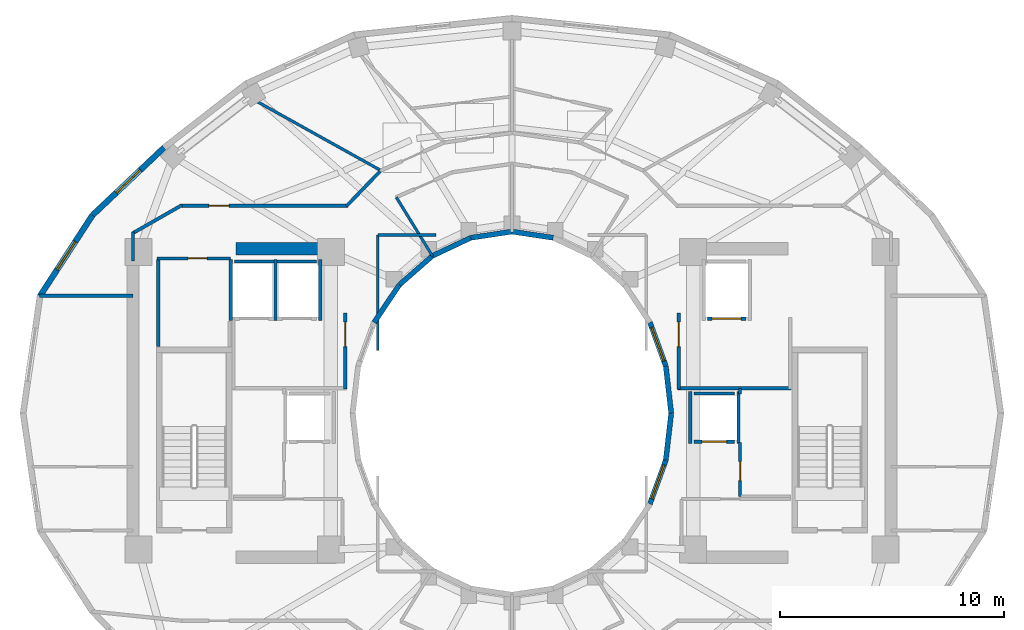
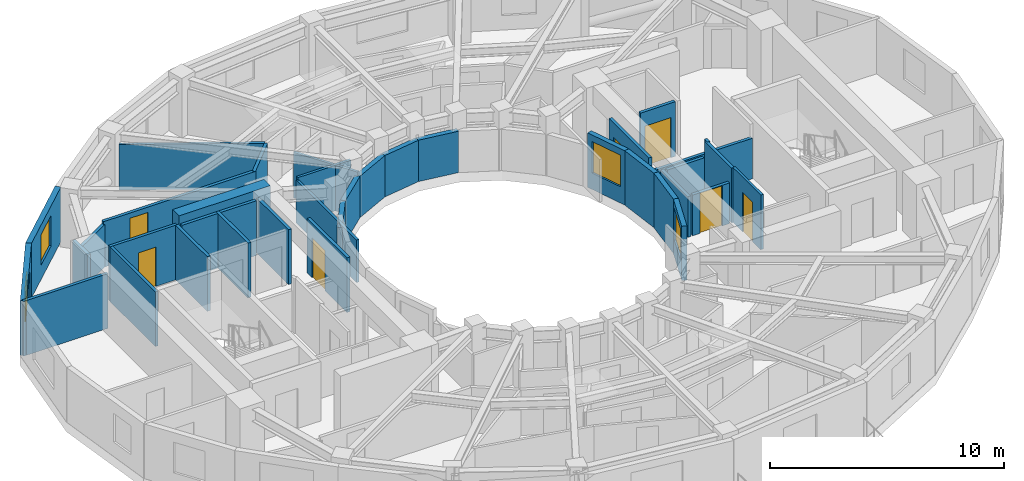
# One storey, part 5 of 9: 38 walls, 7 doors, 4 windows, 11 openings.
"""IFC4 building model written with IfcOpenShell, lengths in metres."""

from ifc_helpers import new_model, si_unit, direction, frame, frame_2d, origin, place, context, subcontext, project, spatial, rectangle, extrude, material, layer, layer_set, type_object, element, fill, save


model = new_model("IFC4")

# Units and contexts
model_context = context("Model", 3, precision=1e-05, world=origin(), true_north=direction((0.0, 1.0)))
body_context = subcontext(model_context, "Body", "Model", "MODEL_VIEW")
ifc_project = project(units=[si_unit("LENGTHUNIT", "METRE"), si_unit("AREAUNIT", "SQUARE_METRE"), si_unit("VOLUMEUNIT", "CUBIC_METRE"), si_unit("PLANEANGLEUNIT", "RADIAN"), si_unit("MASSUNIT", "GRAM", prefix="KILO")], contexts=[model_context])

# Site, building, storey
site_placement = place(None, origin())
site = spatial("IfcSite", under=ifc_project, at=site_placement, CompositionType="ELEMENT")
building_placement = place(site_placement, origin())
building = spatial("IfcBuilding", under=site, at=building_placement, Name="Solvane Sanctuary Tower", CompositionType="ELEMENT")
storey_placement = place(building_placement, frame((0.0, 0.0, 220.199951171875)))
storey = spatial("IfcBuildingStorey", under=building, at=storey_placement, Name="L67", CompositionType="ELEMENT", Elevation=220.199951171875)

# Wall
ifc_material_1 = material(Name="Concrete C50/60", Category="concrete")
ifc_layer_1 = layer(ifc_material_1, 0.550048828125, Name="Concrete C50/60")
ifc_layer_set_1 = layer_set([ifc_layer_1], Name="Concrete C50/60")
wall_type_1 = type_object("IfcWallType", Name="Wall W-CORE-550", PredefinedType="SHEAR", material=ifc_layer_set_1)
wall_1_placement = place(storey_placement, frame((19.64990234375, 30.35009765625, 0.0), z_axis=(0.0, 0.0, 1.0), x_axis=(1.0, 0.0, 0.0)))
element("IfcWall", 1, at=wall_1_placement, inside=storey, type_object=wall_type_1, Name="L67 Core Shear Wall WC-N", PredefinedType="SHEAR", context=body_context, shape_type="SweptSolid", body=[
    extrude(rectangle(XDim=4.5, YDim=0.550048828125, at=frame_2d((2.25, 0.0))), origin(), (0.0, 0.0, 1.0), 3.10009765625),
])

# Wall, opening, door
ifc_material_2 = material(Name="Acoustic Gypsum Partition Board")
ifc_layer_2 = layer(ifc_material_2, 0.14990234375, Name="Acoustic Gypsum Partition Board")
ifc_layer_set_2 = layer_set([ifc_layer_2], Name="Acoustic Gypsum Partition Board")
wall_type_2 = type_object("IfcWallType", Name="Wall W-CORR-150", PredefinedType="PARTITIONING", material=ifc_layer_set_2)
wall_2_placement = place(storey_placement, frame((24.550048828125, 24.080078125, 0.0), z_axis=(0.0, 0.0, 1.0), x_axis=(0.0, 1.0, 0.0)))
wall_2 = element("IfcWall", 2, at=wall_2_placement, inside=storey, type_object=wall_type_2, Name="L67 West Firefighting Lobby East Wall", PredefinedType="PARTITIONING", context=body_context, shape_type="SweptSolid", body=[
    extrude(rectangle(XDim=3.39990234375, YDim=0.14990234375, at=frame_2d((1.699951171875, 0.0))), origin(), (0.0, 0.0, 1.0), 2.85498046875),
])
opening_1_placement = place(wall_2_placement, frame((1.893798828125, 0.0, 0.0)))
opening_1 = element("IfcOpeningElement", 3, at=opening_1_placement, cuts=wall_2, Name="Opening D-L67-04", PredefinedType="OPENING", context=body_context, shape_type="SweptSolid", body=[
    extrude(rectangle(XDim=1.10009765625, YDim=2.10009765625, at=frame_2d((0.550048828125, 1.050048828125))), frame((0.0, 0.0849609375, 0.0), z_axis=(0.0, -1.0, 0.0), x_axis=(1.0, 0.0, 0.0)), (0.0, 0.0, 1.0), 0.169921875),
])
ifc_material_3 = material(Name="Architectural Stainless Steel 316", Category="steel")
door_type_1 = type_object("IfcDoorType", Name="Door D-FFL", OperationType="NOTDEFINED", PredefinedType="DOOR", material=ifc_material_3)
door_1_placement = place(opening_1_placement, origin())
door_1 = element("IfcDoor", 4, at=door_1_placement, inside=storey, type_object=door_type_1, Name="L67 West Firefighting Lobby Fire Door", OperationType="SINGLE_SWING_LEFT", OverallHeight=2.10009765625, OverallWidth=1.10009765625, PredefinedType="DOOR", context=body_context, shape_type="SweptSolid", body=[
    extrude(rectangle(XDim=1.10009765625, YDim=2.10009765625, at=frame_2d((0.550048828125, 1.050048828125))), frame((0.0, 0.02490234375, 0.0), z_axis=(0.0, -1.0, 0.0), x_axis=(1.0, 0.0, 0.0)), (0.0, 0.0, 1.0), 0.050048828125),
])
fill(opening_1, door_1)

# Wall
wall_3_placement = place(storey_placement, frame((39.39990234375, 24.1201171875, 0.0), z_axis=(0.0, 0.0, 1.0), x_axis=(1.0, 0.0, 0.0)))
element("IfcWall", 5, at=wall_3_placement, inside=storey, type_object=wall_type_2, Name="L67 East Firefighting Lobby South Wall", PredefinedType="PARTITIONING", context=body_context, shape_type="SweptSolid", body=[
    extrude(rectangle(XDim=5.080078125, YDim=0.14990234375, at=frame_2d((2.5400390625, 0.0))), origin(), (0.0, 0.0, 1.0), 2.1201171875),
])

# Wall, opening, door
wall_4_placement = place(storey_placement, frame((39.449951171875, 24.080078125, 0.0), z_axis=(0.0, 0.0, 1.0), x_axis=(0.0, 1.0, 0.0)))
wall_4 = element("IfcWall", 6, at=wall_4_placement, inside=storey, type_object=wall_type_2, Name="L67 East Firefighting Lobby West Wall", PredefinedType="PARTITIONING", context=body_context, shape_type="SweptSolid", body=[
    extrude(rectangle(XDim=3.39990234375, YDim=0.14990234375, at=frame_2d((1.699951171875, 0.0))), origin(), (0.0, 0.0, 1.0), 2.85498046875),
])
opening_2_placement = place(wall_4_placement, frame((1.893798828125, 0.0, 0.0)))
opening_2 = element("IfcOpeningElement", 7, at=opening_2_placement, cuts=wall_4, Name="Opening D-L67-05", PredefinedType="OPENING", context=body_context, shape_type="SweptSolid", body=[
    extrude(rectangle(XDim=1.10009765625, YDim=2.10009765625, at=frame_2d((0.550048828125, 1.050048828125))), frame((0.0, 0.0849609375, 0.0), z_axis=(0.0, -1.0, 0.0), x_axis=(1.0, 0.0, 0.0)), (0.0, 0.0, 1.0), 0.169921875),
])
door_2_placement = place(opening_2_placement, origin())
door_2 = element("IfcDoor", 8, at=door_2_placement, inside=storey, type_object=door_type_1, Name="L67 East Firefighting Lobby Fire Door", OperationType="SINGLE_SWING_RIGHT", OverallHeight=2.10009765625, OverallWidth=1.10009765625, PredefinedType="DOOR", context=body_context, shape_type="SweptSolid", body=[
    extrude(rectangle(XDim=1.10009765625, YDim=2.10009765625, at=frame_2d((0.550048828125, 1.050048828125))), frame((0.0, 0.02490234375, 0.0), z_axis=(0.0, -1.0, 0.0), x_axis=(1.0, 0.0, 0.0)), (0.0, 0.0, 1.0), 0.050048828125),
])
fill(opening_2, door_2)

# Walls
wall_5_placement = place(storey_placement, frame((10.87548828125, 28.245361328125, 0.0), z_axis=(0.0, 0.0, 1.0), x_axis=(1.0, 0.0, 0.0)))
element("IfcWall", 9, at=wall_5_placement, inside=storey, type_object=wall_type_2, Name="L67 West Shoulder North Wall", PredefinedType="PARTITIONING", context=body_context, shape_type="SweptSolid", body=[
    extrude(rectangle(XDim=4.174560546875, YDim=0.14990234375, at=frame_2d((2.08740234375, 0.0))), origin(), (0.0, 0.0, 1.0), 2.85498046875),
])
wall_6_placement = place(storey_placement, frame((15.050048828125, 29.800048828125, 0.0), z_axis=(0.0, 0.0, 1.0), x_axis=(0.0, 1.0, 0.0)))
element("IfcWall", 10, at=wall_6_placement, inside=storey, type_object=wall_type_2, Name="L67 NW Corner Closer 1", PredefinedType="PARTITIONING", context=body_context, shape_type="SweptSolid", body=[
    extrude(rectangle(XDim=1.2900390625, YDim=0.14990234375, at=frame_2d((0.64501953125, 0.0))), origin(), (0.0, 0.0, 1.0), 2.85498046875),
])
wall_7_placement = place(storey_placement, frame((26.0966796875, 33.811767578125, 0.0), z_axis=(0.0, 0.0, 1.0), x_axis=(-0.694032962553, -0.719943224768, 0.0)))
element("IfcWall", 11, at=wall_7_placement, inside=storey, type_object=wall_type_2, Name="L67 NW Corner Throat Wall", PredefinedType="PARTITIONING", context=body_context, shape_type="SweptSolid", body=[
    extrude(rectangle(XDim=2.15771484375, YDim=0.14990234375, at=frame_2d((1.078857421875, 0.0))), origin(), (0.0, 0.0, 1.0), 2.3759765625),
])

# Wall, opening, door
wall_8_placement = place(storey_placement, frame((17.14990234375, 32.280029296875, 0.0), z_axis=(0.0, 0.0, 1.0), x_axis=(1.0, 0.0, 0.0)))
wall_8 = element("IfcWall", 12, at=wall_8_placement, inside=storey, type_object=wall_type_2, Name="L67 NW Corner Corridor Wall", PredefinedType="PARTITIONING", context=body_context, shape_type="SweptSolid", body=[
    extrude(rectangle(XDim=7.52001953125, YDim=0.14990234375, at=frame_2d((3.760009765625, 0.0))), origin(), (0.0, 0.0, 1.0), 2.3759765625),
])
opening_3_placement = place(wall_8_placement, frame((1.300048828125, 0.0, 0.0)))
opening_3 = element("IfcOpeningElement", 13, at=opening_3_placement, cuts=wall_8, Name="Opening D-L67-21", PredefinedType="OPENING", context=body_context, shape_type="SweptSolid", body=[
    extrude(rectangle(XDim=0.89990234375, YDim=2.10009765625, at=frame_2d((0.449951171875, 1.050048828125))), frame((0.0, 0.0849609375, 0.0), z_axis=(0.0, -1.0, 0.0), x_axis=(1.0, 0.0, 0.0)), (0.0, 0.0, 1.0), 0.169921875),
])
ifc_material_4 = material(Name="Engineered Tropical Hardwood", Category="wood")
door_type_2 = type_object("IfcDoorType", Name="Door D-WET-900", OperationType="NOTDEFINED", PredefinedType="DOOR", material=ifc_material_4)
door_3_placement = place(opening_3_placement, origin())
door_3 = element("IfcDoor", 14, at=door_3_placement, inside=storey, type_object=door_type_2, Name="L67 NW Corner Salon Door", OperationType="SINGLE_SWING_RIGHT", OverallHeight=2.10009765625, OverallWidth=0.89990234375, PredefinedType="DOOR", context=body_context, shape_type="SweptSolid", body=[
    extrude(rectangle(XDim=0.89990234375, YDim=2.10009765625, at=frame_2d((0.449951171875, 1.050048828125))), frame((0.0, 0.02490234375, 0.0), z_axis=(0.0, -1.0, 0.0), x_axis=(1.0, 0.0, 0.0)), (0.0, 0.0, 1.0), 0.050048828125),
])
fill(opening_3, door_3)

# Wall
wall_9_placement = place(storey_placement, frame((17.243408203125, 32.3046875, 0.0), z_axis=(0.0, 0.0, 1.0), x_axis=(-0.867991349648, -0.496579315857, 0.0)))
element("IfcWall", 15, at=wall_9_placement, inside=storey, type_object=wall_type_2, Name="L67 NW Corner Wing Wall", PredefinedType="PARTITIONING", context=body_context, shape_type="SweptSolid", body=[
    extrude(rectangle(XDim=2.56689453125, YDim=0.14990234375, at=frame_2d((1.283447265625, 0.0))), origin(), (0.0, 0.0, 1.0), 2.219970703125),
])

# Wall, opening, window
ifc_material_5 = material(Name="Precast concrete C40/50", Category="concrete")
ifc_layer_3 = layer(ifc_material_5, 0.260009765625, Name="Precast concrete C40/50")
ifc_layer_set_3 = layer_set([ifc_layer_3], Name="Precast concrete C40/50")
wall_type_3 = type_object("IfcWallType", Name="Wall W-EXT-250", PredefinedType="STANDARD", material=ifc_layer_set_3)
wall_10_placement = place(storey_placement, frame((16.4423828125, 34.8720703125, 0.0), z_axis=(0.0, 0.0, 1.0), x_axis=(-0.72731899451, -0.686299555752, 0.0)))
wall_10 = element("IfcWall", 16, at=wall_10_placement, inside=storey, type_object=wall_type_3, Name="L67 Ceramic-Printed Facade Wall 09", PredefinedType="STANDARD", context=body_context, shape_type="SweptSolid", body=[
    extrude(rectangle(XDim=4.404296875, YDim=0.260009765625, at=frame_2d((2.2021484375, 0.0))), origin(), (0.0, 0.0, 1.0), 2.85009765625),
])
opening_4_placement = place(wall_10_placement, frame((1.4521484375, 0.0, 0.75)))
opening_4 = element("IfcOpeningElement", 17, at=opening_4_placement, cuts=wall_10, Name="Opening WN-OPER-1500", PredefinedType="OPENING", context=body_context, shape_type="SweptSolid", body=[
    extrude(rectangle(XDim=1.5, YDim=1.60009765625, at=frame_2d((0.75, 0.800048828125))), frame((0.0, 0.139892578125, 0.0), z_axis=(0.0, -1.0, 0.0), x_axis=(1.0, 0.0, 0.0)), (0.0, 0.0, 1.0), 0.280029296875),
])
ifc_material_6 = material(Name="Dark Ceramic-Fritted Low-E Glass", Category="glass")
window_type_1 = type_object("IfcWindowType", Name="Window WN-OPER-1500", PartitioningType="SINGLE_PANEL", PredefinedType="WINDOW", material=ifc_material_6)
window_1_placement = place(opening_4_placement, origin())
window_1 = element("IfcWindow", 18, at=window_1_placement, inside=storey, type_object=window_type_1, Name="L67 Operable Facade Window 09", OverallHeight=1.60009765625, OverallWidth=1.5, PartitioningType="SINGLE_PANEL", PredefinedType="WINDOW", context=body_context, shape_type="SweptSolid", body=[
    extrude(rectangle(XDim=1.5, YDim=1.60009765625, at=frame_2d((0.75, 0.800048828125))), frame((0.0, 0.030029296875, 0.0), z_axis=(0.0, -1.0, 0.0), x_axis=(1.0, 0.0, 0.0)), (0.0, 0.0, 1.0), 0.06005859375),
])
fill(opening_4, window_1)

wall_11_placement = place(storey_placement, frame((13.239013671875, 31.849365234375, 0.0), z_axis=(0.0, 0.0, 1.0), x_axis=(-0.544475908819, -0.838776480784, 0.0)))
wall_11 = element("IfcWall", 19, at=wall_11_placement, inside=storey, type_object=wall_type_3, Name="L67 Ceramic-Printed Facade Wall 10", PredefinedType="STANDARD", context=body_context, shape_type="SweptSolid", body=[
    extrude(rectangle(XDim=4.3046875, YDim=0.260009765625, at=frame_2d((2.15234375, 0.0))), origin(), (0.0, 0.0, 1.0), 2.85009765625),
])
opening_5_placement = place(wall_11_placement, frame((1.40234375, 0.0, 0.75)))
opening_5 = element("IfcOpeningElement", 20, at=opening_5_placement, cuts=wall_11, Name="Opening WN-OPER-1500", PredefinedType="OPENING", context=body_context, shape_type="SweptSolid", body=[
    extrude(rectangle(XDim=1.5, YDim=1.60009765625, at=frame_2d((0.75, 0.800048828125))), frame((0.0, 0.139892578125, 0.0), z_axis=(0.0, -1.0, 0.0), x_axis=(1.0, 0.0, 0.0)), (0.0, 0.0, 1.0), 0.280029296875),
])
window_2_placement = place(opening_5_placement, origin())
window_2 = element("IfcWindow", 21, at=window_2_placement, inside=storey, type_object=window_type_1, Name="L67 Operable Facade Window 10", OverallHeight=1.60009765625, OverallWidth=1.5, PartitioningType="SINGLE_PANEL", PredefinedType="WINDOW", context=body_context, shape_type="SweptSolid", body=[
    extrude(rectangle(XDim=1.5, YDim=1.60009765625, at=frame_2d((0.75, 0.800048828125))), frame((0.0, 0.030029296875, 0.0), z_axis=(0.0, -1.0, 0.0), x_axis=(1.0, 0.0, 0.0)), (0.0, 0.0, 1.0), 0.06005859375),
])
fill(opening_5, window_2)

# Wall
ifc_layer_4 = layer(ifc_material_5, 0.22998046875, Name="Precast concrete C40/50")
ifc_layer_set_4 = layer_set([ifc_layer_4], Name="Precast concrete C40/50")
wall_type_4 = type_object("IfcWallType", Name="Wall W-EXT-SP220", PredefinedType="STANDARD", material=ifc_layer_set_4)
wall_12_placement = place(storey_placement, frame((39.1201171875, 23.0, 0.0), z_axis=(0.0, 0.0, 1.0), x_axis=(-0.114711713601, 0.993398823617, 0.0)))
element("IfcWall", 22, at=wall_12_placement, inside=storey, type_object=wall_type_4, Name="L67 Central Light-Well Wall 00", PredefinedType="STANDARD", context=body_context, shape_type="SweptSolid", body=[
    extrude(rectangle(XDim=2.115478515625, YDim=0.22998046875, at=frame_2d((1.0576171875, 0.0))), origin(), (0.0, 0.0, 1.0), 2.840087890625),
])

# Wall, opening, window
wall_13_placement = place(storey_placement, frame((38.87744140625, 25.1015625, 0.0), z_axis=(0.0, 0.0, 1.0), x_axis=(-0.341423187295, 0.93990968033, 0.0)))
wall_13 = element("IfcWall", 23, at=wall_13_placement, inside=storey, type_object=wall_type_4, Name="L67 Central Light-Well Wall 01", PredefinedType="STANDARD", context=body_context, shape_type="SweptSolid", body=[
    extrude(rectangle(XDim=2.083740234375, YDim=0.22998046875, at=frame_2d((1.0419921875, 0.0))), origin(), (0.0, 0.0, 1.0), 2.840087890625),
])
opening_6_placement = place(wall_13_placement, frame((0.24169921875, 0.0, 0.85009765625)))
opening_6 = element("IfcOpeningElement", 24, at=opening_6_placement, cuts=wall_13, Name="Opening WN-WELL-1600", PredefinedType="OPENING", context=body_context, shape_type="SweptSolid", body=[
    extrude(rectangle(XDim=1.60009765625, YDim=1.64990234375, at=frame_2d((0.800048828125, 0.824951171875))), frame((0.0, 0.125, 0.0), z_axis=(0.0, -1.0, 0.0), x_axis=(1.0, 0.0, 0.0)), (0.0, 0.0, 1.0), 0.25),
])
ifc_material_7 = material(Name="Clear Laminated Light-Well Glass", Category="glass")
window_type_2 = type_object("IfcWindowType", Name="Window WN-WELL-1600", PartitioningType="SINGLE_PANEL", PredefinedType="WINDOW", material=ifc_material_7)
window_3_placement = place(opening_6_placement, origin())
window_3 = element("IfcWindow", 25, at=window_3_placement, inside=storey, type_object=window_type_2, Name="L67 Light-Well Daylight Window 01", OverallHeight=1.64990234375, OverallWidth=1.60009765625, PartitioningType="SINGLE_PANEL", PredefinedType="WINDOW", context=body_context, shape_type="SweptSolid", body=[
    extrude(rectangle(XDim=1.60009765625, YDim=1.64990234375, at=frame_2d((0.800048828125, 0.824951171875))), frame((0.0, 0.030029296875, 0.0), z_axis=(0.0, -1.0, 0.0), x_axis=(1.0, 0.0, 0.0)), (0.0, 0.0, 1.0), 0.06005859375),
])
fill(opening_6, window_3)

# Walls
for number, where, z_axis, x_axis, name in (
    (26, (33.8427734375, 30.84326171875, 0.0), (0.0, 0.0, 1.0), (-0.988901730308, 0.148571086668, 0.0), "L67 Central Light-Well Wall 05"),
    (27, (32.0, 31.1201171875, 0.0), (0.0, 0.0, 1.0), (-0.988901730308, -0.148571086668, 0.0), "L67 Central Light-Well Wall 06"),
):
    element("IfcWall", number, at=place(storey_placement, frame(where, z_axis=z_axis, x_axis=x_axis)), inside=storey, type_object=wall_type_4, Name=name, PredefinedType="STANDARD", context=body_context, shape_type="SweptSolid", body=[
        extrude(rectangle(XDim=1.863525390625, YDim=0.22998046875, at=frame_2d((0.931640625, 0.0))), origin(), (0.0, 0.0, 1.0), 2.16015625),
    ])
wall_14_placement = place(storey_placement, frame((30.1572265625, 30.84326171875, 0.0), z_axis=(0.0, 0.0, 1.0), x_axis=(-0.904179699603, -0.427152280606, 0.0)))
element("IfcWall", 28, at=wall_14_placement, inside=storey, type_object=wall_type_4, Name="L67 Central Light-Well Wall 07", PredefinedType="STANDARD", context=body_context, shape_type="SweptSolid", body=[
    extrude(rectangle(XDim=1.899169921875, YDim=0.22998046875, at=frame_2d((0.94970703125, 0.0))), origin(), (0.0, 0.0, 1.0), 2.16015625),
])
wall_15_placement = place(storey_placement, frame((28.43994140625, 30.031982421875, 0.0), z_axis=(0.0, 0.0, 1.0), x_axis=(-0.752576694707, -0.658504607869, 0.0)))
element("IfcWall", 29, at=wall_15_placement, inside=storey, type_object=wall_type_4, Name="L67 Central Light-Well Wall 08", PredefinedType="STANDARD", context=body_context, shape_type="SweptSolid", body=[
    extrude(rectangle(XDim=1.95947265625, YDim=0.22998046875, at=frame_2d((0.979736328125, 0.0))), origin(), (0.0, 0.0, 1.0), 2.16015625),
])
wall_16_placement = place(storey_placement, frame((26.96533203125, 28.74169921875, 0.0), z_axis=(0.0, 0.0, 1.0), x_axis=(-0.558197800898, -0.829707909492, 0.0)))
element("IfcWall", 30, at=wall_16_placement, inside=storey, type_object=wall_type_4, Name="L67 Central Light-Well Wall 09", PredefinedType="STANDARD", context=body_context, shape_type="SweptSolid", body=[
    extrude(rectangle(XDim=2.02685546875, YDim=0.22998046875, at=frame_2d((1.013427734375, 0.0))), origin(), (0.0, 0.0, 1.0), 2.16015625),
])

# Wall, opening, window
wall_17_placement = place(storey_placement, frame((38.166015625, 18.93994140625, 0.0), z_axis=(0.0, 0.0, 1.0), x_axis=(0.341423187295, 0.93990968033, 0.0)))
wall_17 = element("IfcWall", 31, at=wall_17_placement, inside=storey, type_object=wall_type_4, Name="L67 Central Light-Well Wall 22", PredefinedType="STANDARD", context=body_context, shape_type="SweptSolid", body=[
    extrude(rectangle(XDim=2.083740234375, YDim=0.22998046875, at=frame_2d((1.0419921875, 0.0))), origin(), (0.0, 0.0, 1.0), 2.840087890625),
])
opening_7_placement = place(wall_17_placement, frame((0.24169921875, 0.0, 0.85009765625)))
opening_7 = element("IfcOpeningElement", 32, at=opening_7_placement, cuts=wall_17, Name="Opening WN-WELL-1600", PredefinedType="OPENING", context=body_context, shape_type="SweptSolid", body=[
    extrude(rectangle(XDim=1.60009765625, YDim=1.64990234375, at=frame_2d((0.800048828125, 0.824951171875))), frame((0.0, 0.125, 0.0), z_axis=(0.0, -1.0, 0.0), x_axis=(1.0, 0.0, 0.0)), (0.0, 0.0, 1.0), 0.25),
])
window_4_placement = place(opening_7_placement, origin())
window_4 = element("IfcWindow", 33, at=window_4_placement, inside=storey, type_object=window_type_2, Name="L67 Light-Well Daylight Window 22", OverallHeight=1.64990234375, OverallWidth=1.60009765625, PartitioningType="SINGLE_PANEL", PredefinedType="WINDOW", context=body_context, shape_type="SweptSolid", body=[
    extrude(rectangle(XDim=1.60009765625, YDim=1.64990234375, at=frame_2d((0.800048828125, 0.824951171875))), frame((0.0, 0.030029296875, 0.0), z_axis=(0.0, -1.0, 0.0), x_axis=(1.0, 0.0, 0.0)), (0.0, 0.0, 1.0), 0.06005859375),
])
fill(opening_7, window_4)

# Wall
wall_18_placement = place(storey_placement, frame((38.87744140625, 20.8984375, 0.0), z_axis=(0.0, 0.0, 1.0), x_axis=(0.114711713601, 0.993398823617, 0.0)))
element("IfcWall", 34, at=wall_18_placement, inside=storey, type_object=wall_type_4, Name="L67 Central Light-Well Wall 23", PredefinedType="STANDARD", context=body_context, shape_type="SweptSolid", body=[
    extrude(rectangle(XDim=2.115478515625, YDim=0.22998046875, at=frame_2d((1.0576171875, 0.0))), origin(), (0.0, 0.0, 1.0), 2.840087890625),
])

# Wall, opening, door
ifc_layer_5 = layer(ifc_material_2, 0.125, Name="Acoustic Gypsum Partition Board")
ifc_layer_set_5 = layer_set([ifc_layer_5], Name="Acoustic Gypsum Partition Board")
wall_type_5 = type_object("IfcWallType", Name="Wall W-PART-125", PredefinedType="PARTITIONING", material=ifc_layer_set_5)
wall_19_placement = place(storey_placement, frame((42.199951171875, 19.280029296875, 0.0), z_axis=(0.0, 0.0, 1.0), x_axis=(0.0, 1.0, 0.0)))
wall_19 = element("IfcWall", 35, at=wall_19_placement, inside=storey, type_object=wall_type_5, Name="L67 Reclaimed Room Partition PME", PredefinedType="PARTITIONING", context=body_context, shape_type="SweptSolid", body=[
    extrude(rectangle(XDim=2.39990234375, YDim=0.125, at=frame_2d((1.199951171875, 0.0))), origin(), (0.0, 0.0, 1.0), 2.85498046875),
])
opening_8_placement = place(wall_19_placement, frame((0.699951171875, 0.0, 0.0)))
opening_8 = element("IfcOpeningElement", 36, at=opening_8_placement, cuts=wall_19, Name="Opening D-L67-09", PredefinedType="OPENING", context=body_context, shape_type="SweptSolid", body=[
    extrude(rectangle(XDim=0.85009765625, YDim=2.050048828125, at=frame_2d((0.425048828125, 1.02490234375))), frame((0.0, 0.072509765625, 0.0), z_axis=(0.0, -1.0, 0.0), x_axis=(1.0, 0.0, 0.0)), (0.0, 0.0, 1.0), 0.14501953125),
])
door_type_3 = type_object("IfcDoorType", Name="Door D-RISER", OperationType="NOTDEFINED", PredefinedType="DOOR", material=ifc_material_3)
door_4_placement = place(opening_8_placement, origin())
door_4 = element("IfcDoor", 37, at=door_4_placement, inside=storey, type_object=door_type_3, Name="L67 Reclaimed Room Door PME-1", OperationType="SINGLE_SWING_RIGHT", OverallHeight=2.050048828125, OverallWidth=0.85009765625, PredefinedType="DOOR", context=body_context, shape_type="SweptSolid", body=[
    extrude(rectangle(XDim=0.85009765625, YDim=2.050048828125, at=frame_2d((0.425048828125, 1.02490234375))), frame((0.0, 0.02490234375, 0.0), z_axis=(0.0, -1.0, 0.0), x_axis=(1.0, 0.0, 0.0)), (0.0, 0.0, 1.0), 0.050048828125),
])
fill(opening_8, door_4)

# Walls
wall_20_placement = place(storey_placement, frame((42.199951171875, 23.85009765625, 0.0), z_axis=(0.0, 0.0, 1.0), x_axis=(0.0, 1.0, 0.0)))
element("IfcWall", 38, at=wall_20_placement, inside=storey, type_object=wall_type_5, Name="L67 Reclaimed Room Dividing Wall PME", PredefinedType="PARTITIONING", context=body_context, shape_type="SweptSolid", body=[
    extrude(rectangle(XDim=0.25, YDim=0.125, at=frame_2d((0.125, 0.0))), origin(), (0.0, 0.0, 1.0), 2.85498046875),
])
wall_21_placement = place(storey_placement, frame((28.449951171875, 30.014892578125, 0.0), z_axis=(0.0, 0.0, 1.0), x_axis=(-0.523992004803, 0.851723182086, 0.0)))
element("IfcWall", 39, at=wall_21_placement, inside=storey, type_object=wall_type_5, Name="L67 Light-Well Alcove Radial Wall 120", PredefinedType="PARTITIONING", context=body_context, shape_type="SweptSolid", body=[
    extrude(rectangle(XDim=3.10107421875, YDim=0.125, at=frame_2d((1.550537109375, 0.0))), origin(), (0.0, 0.0, 1.0), 2.3759765625),
])
wall_22_placement = place(storey_placement, frame((26.0, 25.800048828125, 0.0), z_axis=(0.0, 0.0, 1.0), x_axis=(0.0, 1.0, 0.0)))
element("IfcWall", 40, at=wall_22_placement, inside=storey, type_object=wall_type_5, Name="L67 Bridge Alcove Wall 1", PredefinedType="PARTITIONING", context=body_context, shape_type="SweptSolid", body=[
    extrude(rectangle(XDim=5.159912109375, YDim=0.125, at=frame_2d((2.580078125, 0.0))), origin(), (0.0, 0.0, 1.0), 2.23193359375),
])
wall_23_placement = place(storey_placement, frame((26.0, 30.9599609375, 0.0), z_axis=(0.0, 0.0, 1.0), x_axis=(1.0, 0.0, 0.0)))
element("IfcWall", 41, at=wall_23_placement, inside=storey, type_object=wall_type_5, Name="L67 Bridge Alcove Wall 2", PredefinedType="PARTITIONING", context=body_context, shape_type="SweptSolid", body=[
    extrude(rectangle(XDim=2.60009765625, YDim=0.125, at=frame_2d((1.300048828125, 0.0))), origin(), (0.0, 0.0, 1.0), 2.3759765625),
])
wall_24_placement = place(storey_placement, frame((26.0869140625, 33.8779296875, 0.0), z_axis=(0.0, 0.0, 1.0), x_axis=(-0.87377679808, 0.486327160599, 0.0)))
element("IfcWall", 42, at=wall_24_placement, inside=storey, type_object=wall_type_5, Name="L67 Radial Compartment Wall 120", PredefinedType="PARTITIONING", context=body_context, shape_type="SweptSolid", body=[
    extrude(rectangle(XDim=6.239501953125, YDim=0.125, at=frame_2d((3.11962890625, 0.0))), origin(), (0.0, 0.0, 1.0), 2.3759765625),
])

# Wall, opening, door
ifc_layer_6 = layer(ifc_material_1, 0.14990234375, Name="Concrete C50/60")
ifc_layer_set_6 = layer_set([ifc_layer_6], Name="Concrete C50/60")
wall_type_6 = type_object("IfcWallType", Name="Wall W-SHAFT-150", PredefinedType="SOLIDWALL", material=ifc_layer_set_6)
wall_25_placement = place(storey_placement, frame((40.139892578125, 21.719970703125, 0.0), z_axis=(0.0, 0.0, 1.0), x_axis=(1.0, 0.0, 0.0)))
wall_25 = element("IfcWall", 43, at=wall_25_placement, inside=storey, type_object=wall_type_6, Name="L67 PH-2 Lift Shaft Wall F", PredefinedType="SOLIDWALL", context=body_context, shape_type="SweptSolid", body=[
    extrude(rectangle(XDim=1.820068359375, YDim=0.14990234375, at=frame_2d((0.91015625, 0.0))), origin(), (0.0, 0.0, 1.0), 2.1201171875),
])
opening_9_placement = place(wall_25_placement, frame((0.360107421875, 0.0, 0.0)))
opening_9 = element("IfcOpeningElement", 44, at=opening_9_placement, cuts=wall_25, Name="Opening LD-L67-02", PredefinedType="OPENING", context=body_context, shape_type="SweptSolid", body=[
    extrude(rectangle(XDim=1.10009765625, YDim=2.10009765625, at=frame_2d((0.550048828125, 1.050048828125))), frame((0.0, 0.0849609375, 0.0), z_axis=(0.0, -1.0, 0.0), x_axis=(1.0, 0.0, 0.0)), (0.0, 0.0, 1.0), 0.169921875),
])
door_type_4 = type_object("IfcDoorType", Name="Door LD-PASS-1100", OperationType="NOTDEFINED", PredefinedType="DOOR", material=ifc_material_3)
door_5_placement = place(opening_9_placement, origin())
door_5 = element("IfcDoor", 45, at=door_5_placement, inside=storey, type_object=door_type_4, Name="L67 PH-2 Lift Landing Door", OperationType="DOUBLE_DOOR_SLIDING", OverallHeight=2.10009765625, OverallWidth=1.10009765625, PredefinedType="DOOR", context=body_context, shape_type="SweptSolid", body=[
    extrude(rectangle(XDim=1.10009765625, YDim=2.10009765625, at=frame_2d((0.550048828125, 1.050048828125))), frame((0.0, 0.02490234375, 0.0), z_axis=(0.0, -1.0, 0.0), x_axis=(1.0, 0.0, 0.0)), (0.0, 0.0, 1.0), 0.050048828125),
])
fill(opening_9, door_5)

# Walls
wall_26_placement = place(storey_placement, frame((40.139892578125, 23.8798828125, 0.0), z_axis=(0.0, 0.0, 1.0), x_axis=(1.0, 0.0, 0.0)))
element("IfcWall", 46, at=wall_26_placement, inside=storey, type_object=wall_type_6, Name="L67 PH-2 Lift Shaft Wall B", PredefinedType="SOLIDWALL", context=body_context, shape_type="SweptSolid", body=[
    extrude(rectangle(XDim=1.820068359375, YDim=0.14990234375, at=frame_2d((0.91015625, 0.0))), origin(), (0.0, 0.0, 1.0), 2.1201171875),
])
wall_27_placement = place(storey_placement, frame((39.969970703125, 21.639892578125, 0.0), z_axis=(0.0, 0.0, 1.0), x_axis=(0.0, 1.0, 0.0)))
element("IfcWall", 47, at=wall_27_placement, inside=storey, type_object=wall_type_6, Name="L67 PH-2 Lift Shaft Wall S1", PredefinedType="SOLIDWALL", context=body_context, shape_type="SweptSolid", body=[
    extrude(rectangle(XDim=2.320068359375, YDim=0.14990234375, at=frame_2d((1.16015625, 0.0))), origin(), (0.0, 0.0, 1.0), 2.1201171875),
])
wall_28_placement = place(storey_placement, frame((42.1298828125, 21.639892578125, 0.0), z_axis=(0.0, 0.0, 1.0), x_axis=(0.0, 1.0, 0.0)))
element("IfcWall", 48, at=wall_28_placement, inside=storey, type_object=wall_type_6, Name="L67 PH-2 Lift Shaft Wall S2", PredefinedType="SOLIDWALL", context=body_context, shape_type="SweptSolid", body=[
    extrude(rectangle(XDim=2.320068359375, YDim=0.14990234375, at=frame_2d((1.16015625, 0.0))), origin(), (0.0, 0.0, 1.0), 2.85498046875),
])
wall_29_placement = place(storey_placement, frame((19.590087890625, 29.780029296875, 0.0), z_axis=(0.0, 0.0, 1.0), x_axis=(1.0, 0.0, 0.0)))
element("IfcWall", 49, at=wall_29_placement, inside=storey, type_object=wall_type_6, Name="L67 FFL-1 Lift Shaft Wall B", PredefinedType="SOLIDWALL", context=body_context, shape_type="SweptSolid", body=[
    extrude(rectangle(XDim=1.760009765625, YDim=0.14990234375, at=frame_2d((0.8798828125, 0.0))), origin(), (0.0, 0.0, 1.0), 2.85498046875),
])
for number, where, z_axis, x_axis, name in (
    (50, (19.419921875, 27.139892578125, 0.0), (0.0, 0.0, 1.0), (0.0, 1.0, 0.0), "L67 FFL-1 Lift Shaft Wall S1"),
    (51, (21.425048828125, 27.139892578125, 0.0), (0.0, 0.0, 1.0), (0.0, 1.0, 0.0), "L67 FFL-1 Lift Shaft Wall S2"),
):
    element("IfcWall", number, at=place(storey_placement, frame(where, z_axis=z_axis, x_axis=x_axis)), inside=storey, type_object=wall_type_6, Name=name, PredefinedType="SOLIDWALL", context=body_context, shape_type="SweptSolid", body=[
        extrude(rectangle(XDim=2.72021484375, YDim=0.14990234375, at=frame_2d((1.360107421875, 0.0))), origin(), (0.0, 0.0, 1.0), 2.85498046875),
    ])
wall_30_placement = place(storey_placement, frame((21.5, 29.780029296875, 0.0), z_axis=(0.0, 0.0, 1.0), x_axis=(1.0, 0.0, 0.0)))
element("IfcWall", 52, at=wall_30_placement, inside=storey, type_object=wall_type_6, Name="L67 SVL-1 Lift Shaft Wall B", PredefinedType="SOLIDWALL", context=body_context, shape_type="SweptSolid", body=[
    extrude(rectangle(XDim=1.760009765625, YDim=0.14990234375, at=frame_2d((0.8798828125, 0.0))), origin(), (0.0, 0.0, 1.0), 2.85498046875),
])
wall_31_placement = place(storey_placement, frame((23.429931640625, 27.139892578125, 0.0), z_axis=(0.0, 0.0, 1.0), x_axis=(0.0, 1.0, 0.0)))
element("IfcWall", 53, at=wall_31_placement, inside=storey, type_object=wall_type_6, Name="L67 SVL-1 Lift Shaft Wall S2", PredefinedType="SOLIDWALL", context=body_context, shape_type="SweptSolid", body=[
    extrude(rectangle(XDim=2.72021484375, YDim=0.14990234375, at=frame_2d((1.360107421875, 0.0))), origin(), (0.0, 0.0, 1.0), 2.85498046875),
])

# Wall, opening, door
wall_32_placement = place(storey_placement, frame((40.739990234375, 27.219970703125, 0.0), z_axis=(0.0, 0.0, 1.0), x_axis=(1.0, 0.0, 0.0)))
wall_32 = element("IfcWall", 54, at=wall_32_placement, inside=storey, type_object=wall_type_6, Name="L67 FFL-2 Lift Shaft Wall F", PredefinedType="SOLIDWALL", context=body_context, shape_type="SweptSolid", body=[
    extrude(rectangle(XDim=1.719970703125, YDim=0.14990234375, at=frame_2d((0.85986328125, 0.0))), origin(), (0.0, 0.0, 1.0), 2.85498046875),
])
opening_10_placement = place(wall_32_placement, frame((0.2099609375, 0.0, 0.0)))
opening_10 = element("IfcOpeningElement", 55, at=opening_10_placement, cuts=wall_32, Name="Opening LD-L67-05", PredefinedType="OPENING", context=body_context, shape_type="SweptSolid", body=[
    extrude(rectangle(XDim=1.300048828125, YDim=2.10009765625, at=frame_2d((0.64990234375, 1.050048828125))), frame((0.0, 0.0849609375, 0.0), z_axis=(0.0, -1.0, 0.0), x_axis=(1.0, 0.0, 0.0)), (0.0, 0.0, 1.0), 0.169921875),
])
door_type_5 = type_object("IfcDoorType", Name="Door LD-FFL-1300", OperationType="NOTDEFINED", PredefinedType="DOOR", material=ifc_material_3)
door_6_placement = place(opening_10_placement, origin())
door_6 = element("IfcDoor", 56, at=door_6_placement, inside=storey, type_object=door_type_5, Name="L67 FFL-2 Lift Landing Door", OperationType="DOUBLE_DOOR_SLIDING", OverallHeight=2.10009765625, OverallWidth=1.300048828125, PredefinedType="DOOR", context=body_context, shape_type="SweptSolid", body=[
    extrude(rectangle(XDim=1.300048828125, YDim=2.10009765625, at=frame_2d((0.64990234375, 1.050048828125))), frame((0.0, 0.02490234375, 0.0), z_axis=(0.0, -1.0, 0.0), x_axis=(1.0, 0.0, 0.0)), (0.0, 0.0, 1.0), 0.050048828125),
])
fill(opening_10, door_6)

ifc_layer_7 = layer(ifc_material_2, 0.139892578125, Name="Acoustic Gypsum Partition Board")
ifc_layer_set_7 = layer_set([ifc_layer_7], Name="Acoustic Gypsum Partition Board")
wall_type_7 = type_object("IfcWallType", Name="Wall W-WET-140", PredefinedType="PLUMBINGWALL", material=ifc_layer_set_7)
wall_33_placement = place(storey_placement, frame((16.1201171875, 29.919921875, 0.0), z_axis=(0.0, 0.0, 1.0), x_axis=(1.0, 0.0, 0.0)))
wall_33 = element("IfcWall", 57, at=wall_33_placement, inside=storey, type_object=wall_type_7, Name="L67 Core Service Front Wall KW0", PredefinedType="PLUMBINGWALL", context=body_context, shape_type="SweptSolid", body=[
    extrude(rectangle(XDim=3.2998046875, YDim=0.139892578125, at=frame_2d((1.64990234375, 0.0))), origin(), (0.0, 0.0, 1.0), 2.85498046875),
])
opening_11_placement = place(wall_33_placement, frame((1.3994140625, 0.0, 0.0)))
opening_11 = element("IfcOpeningElement", 58, at=opening_11_placement, cuts=wall_33, Name="Opening D-L67-10", PredefinedType="OPENING", context=body_context, shape_type="SweptSolid", body=[
    extrude(rectangle(XDim=0.85009765625, YDim=2.050048828125, at=frame_2d((0.425048828125, 1.02490234375))), frame((0.0, 0.079833984375, 0.0), z_axis=(0.0, -1.0, 0.0), x_axis=(1.0, 0.0, 0.0)), (0.0, 0.0, 1.0), 0.159912109375),
])
door_7_placement = place(opening_11_placement, origin())
door_7 = element("IfcDoor", 59, at=door_7_placement, inside=storey, type_object=door_type_3, Name="L67 Core Service Room Door KW0-1", OperationType="SINGLE_SWING_LEFT", OverallHeight=2.050048828125, OverallWidth=0.85009765625, PredefinedType="DOOR", context=body_context, shape_type="SweptSolid", body=[
    extrude(rectangle(XDim=0.85009765625, YDim=2.050048828125, at=frame_2d((0.425048828125, 1.02490234375))), frame((0.0, 0.02490234375, 0.0), z_axis=(0.0, -1.0, 0.0), x_axis=(1.0, 0.0, 0.0)), (0.0, 0.0, 1.0), 0.050048828125),
])
fill(opening_11, door_7)

# Wall
wall_34_placement = place(storey_placement, frame((16.179931640625, 25.97998046875, 0.0), z_axis=(0.0, 0.0, 1.0), x_axis=(0.0, 1.0, 0.0)))
element("IfcWall", 60, at=wall_34_placement, inside=storey, type_object=wall_type_7, Name="L67 Core Service Side Wall KW0-1", PredefinedType="PLUMBINGWALL", context=body_context, shape_type="SweptSolid", body=[
    extrude(rectangle(XDim=3.880126953125, YDim=0.139892578125, at=frame_2d((1.93994140625, 0.0))), origin(), (0.0, 0.0, 1.0), 2.85498046875),
])

save(model, "model.ifc")
